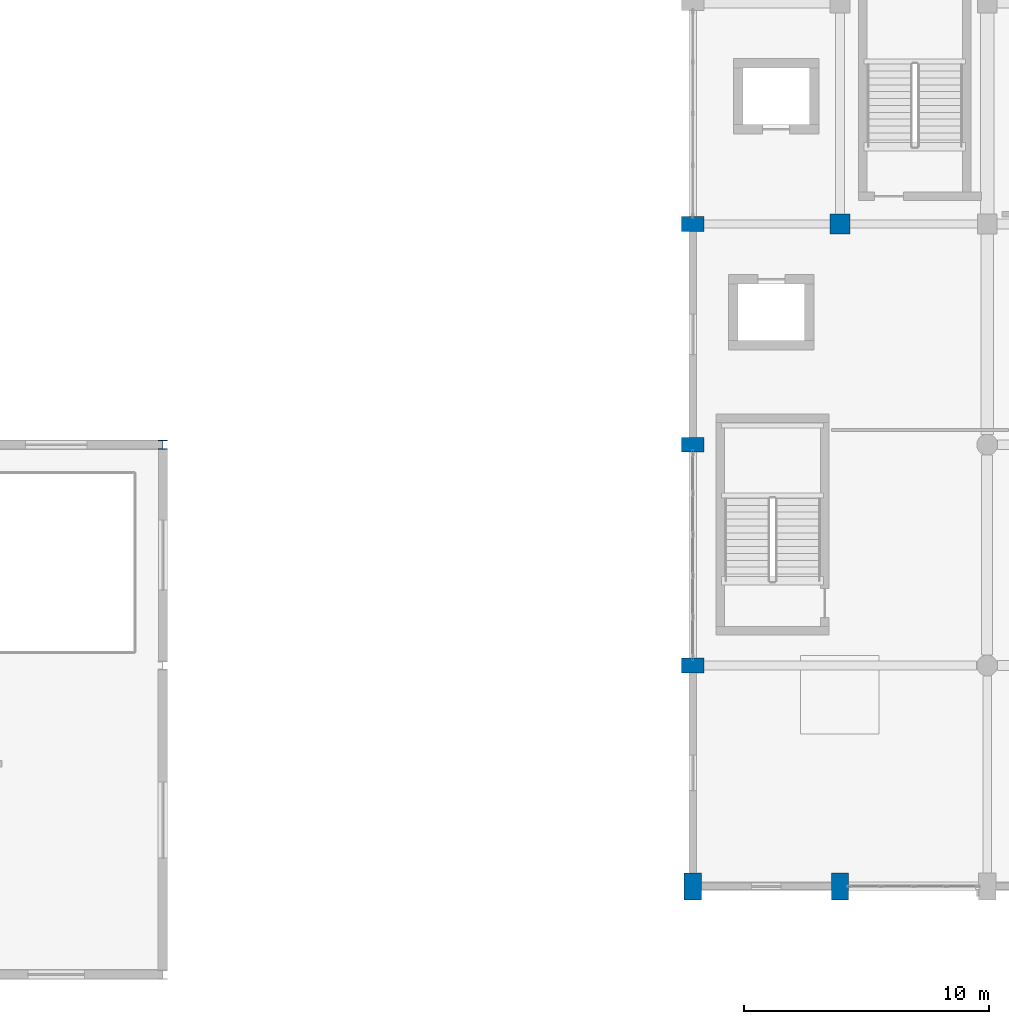
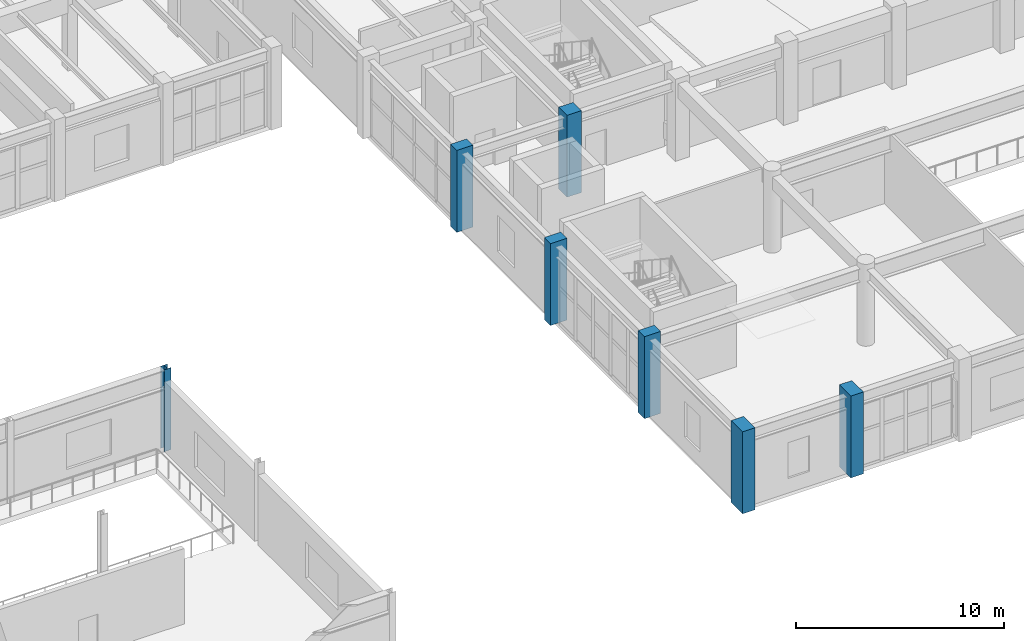
# One storey, part 2 of 96: 7 columns.
"""IFC4 building model written with IfcOpenShell, lengths in metres."""

from ifc_helpers import new_model, si_unit, direction, frame, origin, origin_2d, place, context, subcontext, project, spatial, rectangle, i_section, extrude, material, material_profile, profile_set, type_object, element, save


model = new_model("IFC4")

# Units and contexts
model_context = context("Model", 3, precision=1e-05, world=origin(), true_north=direction((0.0, 1.0)))
body_context = subcontext(model_context, "Body", "Model", "MODEL_VIEW")
ifc_project = project(units=[si_unit("LENGTHUNIT", "METRE"), si_unit("AREAUNIT", "SQUARE_METRE"), si_unit("VOLUMEUNIT", "CUBIC_METRE"), si_unit("PLANEANGLEUNIT", "RADIAN"), si_unit("MASSUNIT", "GRAM", prefix="KILO")], contexts=[model_context])

# Site, building, storey
site_placement = place(None, origin())
site = spatial("IfcSite", under=ifc_project, at=site_placement, CompositionType="ELEMENT")
building_placement = place(site_placement, origin())
building = spatial("IfcBuilding", under=site, at=building_placement, Name="Vaelkrest Opera House", CompositionType="ELEMENT")
storey_placement = place(building_placement, frame((0.0, 0.0, 5.39990234375)))
storey = spatial("IfcBuildingStorey", under=building, at=storey_placement, Name="L01", CompositionType="ELEMENT", Elevation=5.39990234375)

# Columns
ifc_material_1 = material(Name="Concrete C50/60", Category="concrete")
ifc_material_profile_1 = material_profile(ifc_material_1, rectangle(XDim=0.800048828125, YDim=0.800048828125, at=origin_2d()), Name="RC800X800")
ifc_profile_set_1 = profile_set([ifc_material_profile_1], Name="Concrete C50/60")
column_type_1 = type_object("IfcColumnType", Name="C04", PredefinedType="COLUMN", material=ifc_profile_set_1)
column_1_placement = place(storey_placement, frame((-24.0, -28.800048828125, 0.0), z_axis=(0.0, 0.0, 1.0), x_axis=(1.0, 0.0, 0.0)))
element("IfcColumn", 1, at=column_1_placement, inside=storey, type_object=column_type_1, Name="Column COL-V1-L01-0149", PredefinedType="COLUMN", context=body_context, shape_type="SweptSolid", body=[
    extrude(rectangle(XDim=0.800048828125, YDim=0.800048828125, at=origin_2d()), origin(), (0.0, 0.0, 1.0), 4.800048828125),
])
ifc_material_profile_2 = material_profile(ifc_material_1, rectangle(XDim=0.60009765625, YDim=0.89990234375, at=origin_2d()), Name="RC600X900")
ifc_profile_set_2 = profile_set([ifc_material_profile_2], Name="Concrete C50/60")
column_type_2 = type_object("IfcColumnType", Name="C06", PredefinedType="COLUMN", material=ifc_profile_set_2)
for number, where, z_axis, x_axis, name in (
    (2, (-30.0, -46.800048828125, 0.0), (0.0, 0.0, 1.0), (0.0, 1.0, 0.0), "Column COL-V1-L01-0140"),
    (3, (-30.0, -37.800048828125, 0.0), (0.0, 0.0, 1.0), (0.0, 1.0, 0.0), "Column COL-V1-L01-0141"),
    (4, (-30.0, -28.800048828125, 0.0), (0.0, 0.0, 1.0), (0.0, 1.0, 0.0), "Column COL-V1-L01-0142"),
):
    element("IfcColumn", number, at=place(storey_placement, frame(where, z_axis=z_axis, x_axis=x_axis)), inside=storey, type_object=column_type_2, Name=name, PredefinedType="COLUMN", context=body_context, shape_type="SweptSolid", body=[
        extrude(rectangle(XDim=0.60009765625, YDim=0.89990234375, at=origin_2d()), origin(), (0.0, 0.0, 1.0), 4.800048828125),
    ])
ifc_material_profile_3 = material_profile(ifc_material_1, rectangle(XDim=0.699951171875, YDim=1.10009765625, at=origin_2d()), Name="RC700X1100")
ifc_profile_set_3 = profile_set([ifc_material_profile_3], Name="Concrete C50/60")
column_type_3 = type_object("IfcColumnType", Name="C07", PredefinedType="COLUMN", material=ifc_profile_set_3)
for number, where, z_axis, x_axis, name in (
    (5, (-30.0, -55.800048828125, 0.0), (0.0, 0.0, 1.0), (1.0, 0.0, 0.0), "Column COL-V1-L01-0139"),
    (6, (-24.0, -55.800048828125, 0.0), (0.0, 0.0, 1.0), (1.0, 0.0, 0.0), "Column COL-V1-L01-0148"),
):
    element("IfcColumn", number, at=place(storey_placement, frame(where, z_axis=z_axis, x_axis=x_axis)), inside=storey, type_object=column_type_3, Name=name, PredefinedType="COLUMN", context=body_context, shape_type="SweptSolid", body=[
        extrude(rectangle(XDim=0.699951171875, YDim=1.10009765625, at=origin_2d()), origin(), (0.0, 0.0, 1.0), 4.800048828125),
    ])
ifc_material_2 = material(Name="Steel A992 Gr50", Category="steel")
ifc_material_profile_4 = material_profile(ifc_material_2, i_section(OverallWidth=0.3701171875, OverallDepth=0.360107421875, WebThickness=0.01220703125, FlangeThickness=0.019775390625, at=origin_2d()), Name="W14X99")
ifc_profile_set_4 = profile_set([ifc_material_profile_4], Name="Steel A992 Gr50")
column_type_4 = type_object("IfcColumnType", Name="C15", PredefinedType="COLUMN", material=ifc_profile_set_4)
column_2_placement = place(storey_placement, frame((-51.60009765625, -37.800048828125, 0.0), z_axis=(0.0, 0.0, 1.0), x_axis=(1.0, 0.0, 0.0)))
element("IfcColumn", 7, at=column_2_placement, inside=storey, type_object=column_type_4, Name="Column COL-V5-L01-1457", PredefinedType="COLUMN", context=body_context, shape_type="SweptSolid", body=[
    extrude(i_section(OverallWidth=0.3701171875, OverallDepth=0.360107421875, WebThickness=0.01220703125, FlangeThickness=0.019775390625, at=origin_2d()), origin(), (0.0, 0.0, 1.0), 4.800048828125),
])

save(model, "model.ifc")
